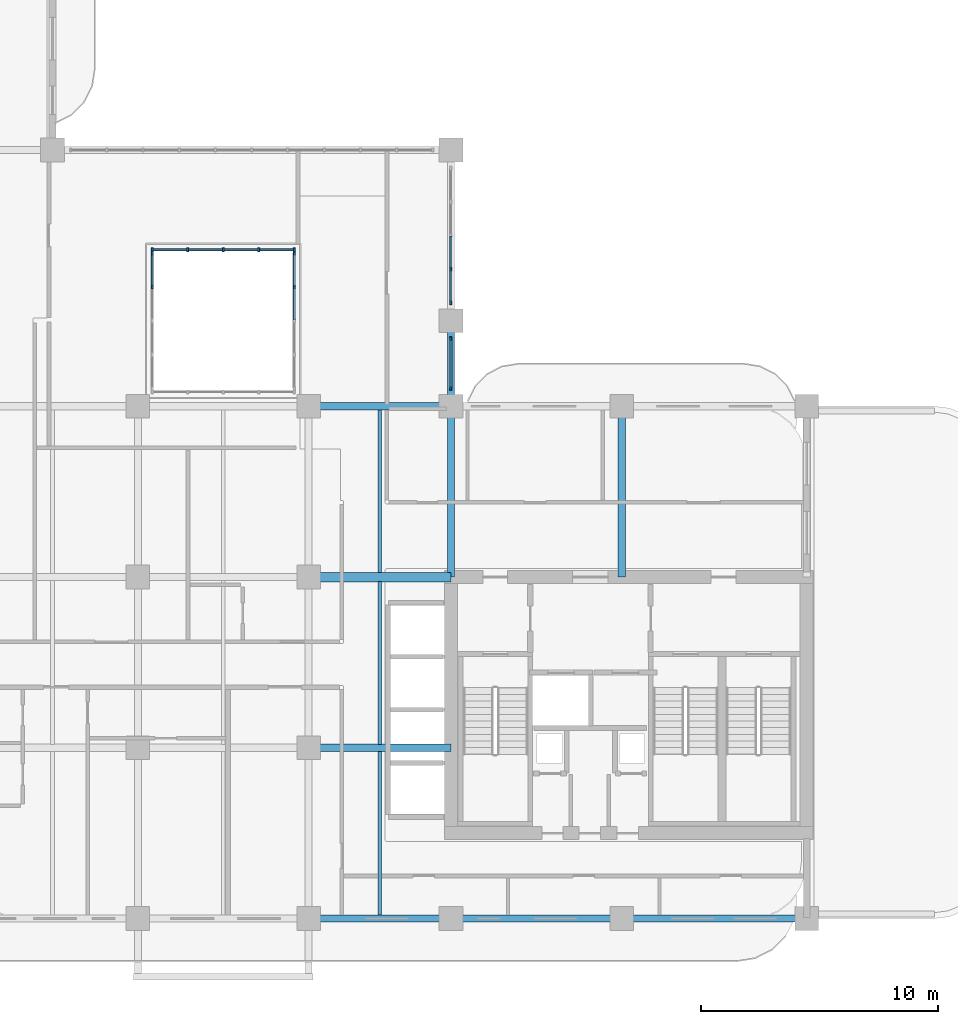
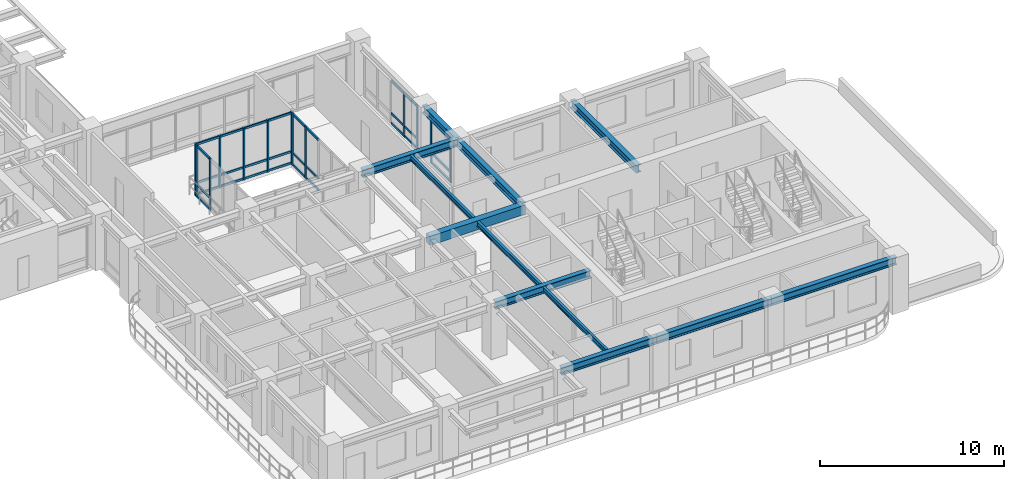
# One storey, part 3 of 20: 43 members, 12 beams, 5 elements without a shape of their own.
"""IFC4 building model written with IfcOpenShell, lengths in metres."""

from ifc_helpers import new_model, si_unit, derived_unit, direction, frame, origin, origin_2d, place, context, subcontext, project, spatial, rectangle, i_section, extrude, source, transform, mapped, material, layer, layer_set, material_profile, profile_set, type_object, type_shapes, element, aggregate, save


model = new_model("IFC4")

# Units and contexts
model_context = context("Model", 3, precision=1e-05, world=origin(), true_north=direction((0.0, 1.0)))
body_context = subcontext(model_context, "Body", "Model", "MODEL_VIEW")
ifc_project = project(units=[si_unit("LENGTHUNIT", "METRE"), si_unit("AREAUNIT", "SQUARE_METRE"), si_unit("VOLUMEUNIT", "CUBIC_METRE"), si_unit("PLANEANGLEUNIT", "RADIAN"), si_unit("MASSUNIT", "GRAM", prefix="KILO"), si_unit("THERMODYNAMICTEMPERATUREUNIT", "KELVIN"), si_unit("POWERUNIT", "WATT"), derived_unit("THERMALTRANSMITTANCEUNIT", [(si_unit("POWERUNIT", "WATT"), 1), (si_unit("AREAUNIT", "SQUARE_METRE"), -1), (si_unit("THERMODYNAMICTEMPERATUREUNIT", "KELVIN"), -1)])], contexts=[model_context])

# Site, building, storey
site_placement = place(None, origin())
site = spatial("IfcSite", under=ifc_project, at=site_placement, CompositionType="ELEMENT")
building_placement = place(site_placement, origin())
building = spatial("IfcBuilding", under=site, at=building_placement, Name="Zahravan Archway Hotel and Residences", CompositionType="ELEMENT")
storey_placement = place(building_placement, frame((0.0, 0.0, 111.800048828125)))
storey = spatial("IfcBuildingStorey", under=building, at=storey_placement, Name="L27", CompositionType="ELEMENT", Elevation=111.800048828125)

# Beams
ifc_material_1 = material(Name="Concrete C60/75", Category="concrete")
ifc_material_profile_1 = material_profile(ifc_material_1, rectangle(XDim=0.39990234375, YDim=0.60009765625, at=origin_2d()), Name="RC-LNT-400x600", Category="concrete")
ifc_profile_set_1 = profile_set([ifc_material_profile_1], Name="Concrete C60/75")
beam_type_1 = type_object("IfcBeamType", Name="LNT-RC-400x600", PredefinedType="LINTEL", material=ifc_profile_set_1)
shared_shape_1 = source(origin(), body_context, "Body", "SweptSolid", [
    extrude(rectangle(XDim=0.39990234375, YDim=0.60009765625, at=origin_2d()), origin(), (0.0, 0.0, 1.0), 6.0),
])
type_shapes(beam_type_1, [shared_shape_1])
beam_1_placement = place(storey_placement, frame((28.800048828125, 14.39990234375, 3.14990234375), z_axis=(1.0, 0.0, 0.0), x_axis=(0.0, 1.0, 0.0)))
element("IfcBeam", 1, at=beam_1_placement, inside=storey, type_object=beam_type_1, Name="L27 Core A Coupling Lintel Beam", PredefinedType="LINTEL", context=body_context, shape_type="MappedRepresentation", body=[
    mapped(shared_shape_1, transform((0.0, 0.0, 0.0), scale=1.0)),
])
ifc_material_2 = material(Name="Structural Steel S355JR", Category="steel")
ifc_material_profile_2 = material_profile(ifc_material_2, i_section(OverallWidth=0.300048828125, OverallDepth=0.5, WebThickness=0.014404296875, FlangeThickness=0.028076171875, FilletRadius=0.027099609375, at=origin_2d()), Name="HEB 500", Category="steel")
ifc_profile_set_2 = profile_set([ifc_material_profile_2], Name="Structural Steel S355JR")
beam_type_2 = type_object("IfcBeamType", Name="BM-PRI-HEB500", PredefinedType="BEAM", material=ifc_profile_set_2)
shared_shape_2 = source(origin(), body_context, "Body", "SweptSolid", [
    extrude(i_section(OverallWidth=0.300048828125, OverallDepth=0.5, WebThickness=0.014404296875, FlangeThickness=0.028076171875, FilletRadius=0.027099609375, at=origin_2d()), origin(), (0.0, 0.0, 1.0), 7.2001953125),
])
type_shapes(beam_type_2, [shared_shape_2])
for number, where, z_axis, x_axis, name in (
    (2, (34.800048828125, 14.39990234375, 3.199951171875), (0.0, 1.0, 0.0), (-1.0, 0.0, 0.0), "L27 Primary Girder NS-41"),
    (3, (42.0, 14.39990234375, 3.199951171875), (0.0, 1.0, 0.0), (-1.0, 0.0, 0.0), "L27 Primary Girder NS-44"),
):
    element("IfcBeam", number, at=place(storey_placement, frame(where, z_axis=z_axis, x_axis=x_axis)), inside=storey, type_object=beam_type_2, Name=name, PredefinedType="BEAM", context=body_context, shape_type="MappedRepresentation", body=[
        mapped(shared_shape_2, transform((0.0, 0.0, 0.0), scale=1.0)),
    ])
shared_shape_3 = source(origin(), body_context, "Body", "SweptSolid", [
    extrude(i_section(OverallWidth=0.300048828125, OverallDepth=0.5, WebThickness=0.014404296875, FlangeThickness=0.028076171875, FilletRadius=0.027099609375, at=origin_2d()), origin(), (0.0, 0.0, 1.0), 7.199951171875),
])
beam_2_placement = place(storey_placement, frame((34.800048828125, 0.0, 3.199951171875), z_axis=(1.0, 0.0, 0.0), x_axis=(0.0, 1.0, 0.0)))
element("IfcBeam", 4, at=beam_2_placement, inside=storey, type_object=beam_type_2, Name="L27 Primary Girder EW-04", PredefinedType="BEAM", context=body_context, shape_type="MappedRepresentation", body=[
    mapped(shared_shape_3, transform((0.0, 0.0, 0.0), scale=1.0)),
])
shared_shape_4 = source(origin(), body_context, "Body", "SweptSolid", [
    extrude(i_section(OverallWidth=0.300048828125, OverallDepth=0.5, WebThickness=0.014404296875, FlangeThickness=0.028076171875, FilletRadius=0.027099609375, at=origin_2d()), origin(), (0.0, 0.0, 1.0), 6.0),
])
for number, where, z_axis, x_axis, name in (
    (5, (28.800048828125, 0.0, 3.199951171875), (1.0, 0.0, 0.0), (0.0, 1.0, 0.0), "L27 Primary Girder EW-03"),
    (6, (28.800048828125, 7.199951171875, 3.199951171875), (1.0, 0.0, 0.0), (0.0, 1.0, 0.0), "L27 Primary Girder EW-08"),
    (7, (28.800048828125, 21.60009765625, 3.199951171875), (1.0, 0.0, 0.0), (0.0, 1.0, 0.0), "L27 Primary Girder EW-13"),
):
    element("IfcBeam", number, at=place(storey_placement, frame(where, z_axis=z_axis, x_axis=x_axis)), inside=storey, type_object=beam_type_2, Name=name, PredefinedType="BEAM", context=body_context, shape_type="MappedRepresentation", body=[
        mapped(shared_shape_4, transform((0.0, 0.0, 0.0), scale=1.0)),
    ])
shared_shape_5 = source(origin(), body_context, "Body", "SweptSolid", [
    extrude(i_section(OverallWidth=0.300048828125, OverallDepth=0.5, WebThickness=0.014404296875, FlangeThickness=0.028076171875, FilletRadius=0.027099609375, at=origin_2d()), origin(), (0.0, 0.0, 1.0), 7.800048828125),
])
beam_3_placement = place(storey_placement, frame((42.0, 0.0, 3.199951171875), z_axis=(1.0, 0.0, 0.0), x_axis=(0.0, 1.0, 0.0)))
element("IfcBeam", 8, at=beam_3_placement, inside=storey, type_object=beam_type_2, Name="L27 Primary Girder EW-05", PredefinedType="BEAM", context=body_context, shape_type="MappedRepresentation", body=[
    mapped(shared_shape_5, transform((0.0, 0.0, 0.0), scale=1.0)),
])
shared_shape_6 = source(origin(), body_context, "Body", "SweptSolid", [
    extrude(i_section(OverallWidth=0.300048828125, OverallDepth=0.5, WebThickness=0.014404296875, FlangeThickness=0.028076171875, FilletRadius=0.027099609375, at=origin_2d()), origin(), (0.0, 0.0, 1.0), 3.599853515625),
])
beam_4_placement = place(storey_placement, frame((34.800048828125, 21.60009765625, 3.199951171875), z_axis=(0.0, 1.0, 0.0), x_axis=(-1.0, 0.0, 0.0)))
element("IfcBeam", 9, at=beam_4_placement, inside=storey, type_object=beam_type_2, Name="L27 Primary Girder NS-42", PredefinedType="BEAM", context=body_context, shape_type="MappedRepresentation", body=[
    mapped(shared_shape_6, transform((0.0, 0.0, 0.0), scale=1.0)),
])
ifc_material_profile_3 = material_profile(ifc_material_2, i_section(OverallWidth=0.159912109375, OverallDepth=0.330078125, WebThickness=0.007568359375, FlangeThickness=0.011474609375, FilletRadius=0.01806640625, at=origin_2d()), Name="IPE 330", Category="steel")
ifc_profile_set_3 = profile_set([ifc_material_profile_3], Name="Structural Steel S355JR")
beam_type_3 = type_object("IfcBeamType", Name="BM-JST-IPE330", PredefinedType="JOIST", material=ifc_profile_set_3)
shared_shape_7 = source(origin(), body_context, "Body", "SweptSolid", [
    extrude(i_section(OverallWidth=0.159912109375, OverallDepth=0.330078125, WebThickness=0.007568359375, FlangeThickness=0.011474609375, FilletRadius=0.01806640625, at=origin_2d()), origin(), (0.0, 0.0, 1.0), 6.904052734375),
])
type_shapes(beam_type_3, [shared_shape_7])
beam_5_placement = place(storey_placement, frame((31.800048828125, 0.14794921875, 3.284912109375), z_axis=(0.0, 1.0, 0.0), x_axis=(-1.0, 0.0, 0.0)))
element("IfcBeam", 10, at=beam_5_placement, inside=storey, type_object=beam_type_3, Name="L27 Composite Floor Joist 03", PredefinedType="JOIST", context=body_context, shape_type="MappedRepresentation", body=[
    mapped(shared_shape_7, transform((0.0, 0.0, 0.0), scale=1.0)),
])
shared_shape_8 = source(origin(), body_context, "Body", "SweptSolid", [
    extrude(i_section(OverallWidth=0.159912109375, OverallDepth=0.330078125, WebThickness=0.007568359375, FlangeThickness=0.011474609375, FilletRadius=0.01806640625, at=origin_2d()), origin(), (0.0, 0.0, 1.0), 6.85400390625),
])
for number, where, z_axis, x_axis, name in (
    (11, (31.800048828125, 7.347900390625, 3.284912109375), (0.0, 1.0, 0.0), (-1.0, 0.0, 0.0), "L27 Composite Floor Joist 06"),
    (12, (31.800048828125, 14.597900390625, 3.284912109375), (0.0, 1.0, 0.0), (-1.0, 0.0, 0.0), "L27 Composite Floor Joist 07"),
):
    element("IfcBeam", number, at=place(storey_placement, frame(where, z_axis=z_axis, x_axis=x_axis)), inside=storey, type_object=beam_type_3, Name=name, PredefinedType="JOIST", context=body_context, shape_type="MappedRepresentation", body=[
        mapped(shared_shape_8, transform((0.0, 0.0, 0.0), scale=1.0)),
    ])

# Curtain wall, members
ifc_material_3 = material(Name="Bronze-Anodized Unitised Aluminium & Low-E Glass", Category="aluminium")
ifc_layer = layer(ifc_material_3, 0.179931640625, Name="Bronze-Anodized Unitised Aluminium & Low-E Glass", Category="aluminium")
ifc_layer_set = layer_set([ifc_layer], Name="Bronze-Anodized Unitised Aluminium & Low-E Glass")
curtain_wall_type = type_object("IfcCurtainWallType", Name="CW-ATR-GLAZ", PredefinedType="NOTDEFINED", material=ifc_layer_set)
curtain_wall_1_placement = place(storey_placement, origin())
curtain_wall_1 = element("IfcCurtainWall", 13, at=curtain_wall_1_placement, inside=storey, type_object=curtain_wall_type, Name="L27 Curtain Wall CW-L27-HNG-E-2", PredefinedType="NOTDEFINED")
ifc_material_4 = material(Name="Bronze-Anodized Extruded Aluminium", Category="aluminium")
ifc_material_profile_4 = material_profile(ifc_material_4, rectangle(XDim=0.080078125, YDim=0.139892578125, at=origin_2d()), Name="TRN 80x140", Category="aluminium")
ifc_profile_set_4 = profile_set([ifc_material_profile_4], Name="Bronze-Anodized Extruded Aluminium")
member_type_1 = type_object("IfcMemberType", Name="CWM-TRN-140", PredefinedType="USERDEFINED", material=ifc_profile_set_4)
shared_shape_9 = source(origin(), body_context, "Body", "SweptSolid", [
    extrude(rectangle(XDim=0.080078125, YDim=0.139892578125, at=origin_2d()), origin(), (0.0, 0.0, 1.0), 1.340087890625),
])
member_1_placement = place(storey_placement, frame((34.800048828125, 26.0, 0.070068359375), z_axis=(0.0, 1.0, 0.0), x_axis=(-1.0, 0.0, 0.0)))
member_1 = element("IfcMember", 14, at=member_1_placement, type_object=member_type_1, Name="CW-L27-HNG-E-2 Transom 0-1", ObjectType="TRANSOM", PredefinedType="USERDEFINED", context=body_context, shape_type="MappedRepresentation", body=[
    mapped(shared_shape_9, transform((0.0, 0.0, 0.0), scale=1.0)),
])
member_2_placement = place(storey_placement, frame((34.800048828125, 26.0, 0.704345703125), z_axis=(0.0, 1.0, 0.0), x_axis=(-1.0, 0.0, 0.0)))
member_2 = element("IfcMember", 15, at=member_2_placement, type_object=member_type_1, Name="CW-L27-HNG-E-2 Transom 0-2", ObjectType="TRANSOM", PredefinedType="USERDEFINED", context=body_context, shape_type="MappedRepresentation", body=[
    mapped(shared_shape_9, transform((0.0, 0.0, 0.0), scale=1.0)),
])
member_3_placement = place(storey_placement, frame((34.800048828125, 26.0, 2.864990234375), z_axis=(0.0, 1.0, 0.0), x_axis=(-1.0, 0.0, 0.0)))
member_3 = element("IfcMember", 16, at=member_3_placement, type_object=member_type_1, Name="CW-L27-HNG-E-2 Transom 0-3", ObjectType="TRANSOM", PredefinedType="USERDEFINED", context=body_context, shape_type="MappedRepresentation", body=[
    mapped(shared_shape_9, transform((0.0, 0.0, 0.0), scale=1.0)),
])
member_4_placement = place(storey_placement, frame((34.800048828125, 27.419921875, 0.070068359375), z_axis=(0.0, 1.0, 0.0), x_axis=(-1.0, 0.0, 0.0)))
member_4 = element("IfcMember", 17, at=member_4_placement, type_object=member_type_1, Name="CW-L27-HNG-E-2 Transom 1-1", ObjectType="TRANSOM", PredefinedType="USERDEFINED", context=body_context, shape_type="MappedRepresentation", body=[
    mapped(shared_shape_9, transform((0.0, 0.0, 0.0), scale=1.0)),
])
member_5_placement = place(storey_placement, frame((34.800048828125, 27.419921875, 0.704345703125), z_axis=(0.0, 1.0, 0.0), x_axis=(-1.0, 0.0, 0.0)))
member_5 = element("IfcMember", 18, at=member_5_placement, type_object=member_type_1, Name="CW-L27-HNG-E-2 Transom 1-2", ObjectType="TRANSOM", PredefinedType="USERDEFINED", context=body_context, shape_type="MappedRepresentation", body=[
    mapped(shared_shape_9, transform((0.0, 0.0, 0.0), scale=1.0)),
])
member_6_placement = place(storey_placement, frame((34.800048828125, 27.419921875, 2.864990234375), z_axis=(0.0, 1.0, 0.0), x_axis=(-1.0, 0.0, 0.0)))
member_6 = element("IfcMember", 19, at=member_6_placement, type_object=member_type_1, Name="CW-L27-HNG-E-2 Transom 1-3", ObjectType="TRANSOM", PredefinedType="USERDEFINED", context=body_context, shape_type="MappedRepresentation", body=[
    mapped(shared_shape_9, transform((0.0, 0.0, 0.0), scale=1.0)),
])

curtain_wall_2_placement = place(storey_placement, origin())
curtain_wall_2 = element("IfcCurtainWall", 20, at=curtain_wall_2_placement, inside=storey, type_object=curtain_wall_type, Name="L27 Curtain Wall CW-L27-HNG-E-1", PredefinedType="NOTDEFINED")
shared_shape_10 = source(origin(), body_context, "Body", "SweptSolid", [
    extrude(rectangle(XDim=0.080078125, YDim=0.139892578125, at=origin_2d()), origin(), (0.0, 0.0, 1.0), 2.0),
])
member_7_placement = place(storey_placement, frame((34.800048828125, 22.39990234375, 0.070068359375), z_axis=(0.0, 1.0, 0.0), x_axis=(-1.0, 0.0, 0.0)))
member_7 = element("IfcMember", 21, at=member_7_placement, type_object=member_type_1, Name="CW-L27-HNG-E-1 Transom 0-1", ObjectType="TRANSOM", PredefinedType="USERDEFINED", context=body_context, shape_type="MappedRepresentation", body=[
    mapped(shared_shape_10, transform((0.0, 0.0, 0.0), scale=1.0)),
])
member_8_placement = place(storey_placement, frame((34.800048828125, 22.39990234375, 0.704345703125), z_axis=(0.0, 1.0, 0.0), x_axis=(-1.0, 0.0, 0.0)))
member_8 = element("IfcMember", 22, at=member_8_placement, type_object=member_type_1, Name="CW-L27-HNG-E-1 Transom 0-2", ObjectType="TRANSOM", PredefinedType="USERDEFINED", context=body_context, shape_type="MappedRepresentation", body=[
    mapped(shared_shape_10, transform((0.0, 0.0, 0.0), scale=1.0)),
])
member_9_placement = place(storey_placement, frame((34.800048828125, 22.39990234375, 2.864990234375), z_axis=(0.0, 1.0, 0.0), x_axis=(-1.0, 0.0, 0.0)))
member_9 = element("IfcMember", 23, at=member_9_placement, type_object=member_type_1, Name="CW-L27-HNG-E-1 Transom 0-3", ObjectType="TRANSOM", PredefinedType="USERDEFINED", context=body_context, shape_type="MappedRepresentation", body=[
    mapped(shared_shape_10, transform((0.0, 0.0, 0.0), scale=1.0)),
])

curtain_wall_3_placement = place(storey_placement, origin())
curtain_wall_3 = element("IfcCurtainWall", 24, at=curtain_wall_3_placement, inside=storey, type_object=curtain_wall_type, Name="L27 Curtain Wall CW-ATR-L27-N-1", PredefinedType="NOTDEFINED")
ifc_material_profile_5 = material_profile(ifc_material_4, rectangle(XDim=0.080078125, YDim=0.159912109375, at=origin_2d()), Name="MUL 80x160", Category="aluminium")
ifc_profile_set_5 = profile_set([ifc_material_profile_5], Name="Bronze-Anodized Extruded Aluminium")
member_type_2 = type_object("IfcMemberType", Name="CWM-MUL-160", PredefinedType="MULLION", material=ifc_profile_set_5)
shared_shape_11 = source(origin(), body_context, "Body", "SweptSolid", [
    extrude(rectangle(XDim=0.080078125, YDim=0.159912109375, at=origin_2d()), origin(), (0.0, 0.0, 1.0), 3.449951171875),
])
member_10_placement = place(storey_placement, frame((22.199951171875, 28.199951171875, 0.0), z_axis=(0.0, 0.0, 1.0), x_axis=(1.0, 0.0, 0.0)))
member_10 = element("IfcMember", 25, at=member_10_placement, type_object=member_type_2, Name="CW-ATR-L27-N-1 Mullion 0", PredefinedType="MULLION", context=body_context, shape_type="MappedRepresentation", body=[
    mapped(shared_shape_11, transform((0.0, 0.0, 0.0), scale=1.0)),
])
member_11_placement = place(storey_placement, frame((23.699951171875, 28.199951171875, 0.0), z_axis=(0.0, 0.0, 1.0), x_axis=(1.0, 0.0, 0.0)))
member_11 = element("IfcMember", 26, at=member_11_placement, type_object=member_type_2, Name="CW-ATR-L27-N-1 Mullion 1", PredefinedType="MULLION", context=body_context, shape_type="MappedRepresentation", body=[
    mapped(shared_shape_11, transform((0.0, 0.0, 0.0), scale=1.0)),
])
member_12_placement = place(storey_placement, frame((25.199951171875, 28.199951171875, 0.0), z_axis=(0.0, 0.0, 1.0), x_axis=(1.0, 0.0, 0.0)))
member_12 = element("IfcMember", 27, at=member_12_placement, type_object=member_type_2, Name="CW-ATR-L27-N-1 Mullion 2", PredefinedType="MULLION", context=body_context, shape_type="MappedRepresentation", body=[
    mapped(shared_shape_11, transform((0.0, 0.0, 0.0), scale=1.0)),
])
member_13_placement = place(storey_placement, frame((26.699951171875, 28.199951171875, 0.0), z_axis=(0.0, 0.0, 1.0), x_axis=(1.0, 0.0, 0.0)))
member_13 = element("IfcMember", 28, at=member_13_placement, type_object=member_type_2, Name="CW-ATR-L27-N-1 Mullion 3", PredefinedType="MULLION", context=body_context, shape_type="MappedRepresentation", body=[
    mapped(shared_shape_11, transform((0.0, 0.0, 0.0), scale=1.0)),
])
member_14_placement = place(storey_placement, frame((28.199951171875, 28.199951171875, 0.0), z_axis=(0.0, 0.0, 1.0), x_axis=(1.0, 0.0, 0.0)))
member_14 = element("IfcMember", 29, at=member_14_placement, type_object=member_type_2, Name="CW-ATR-L27-N-1 Mullion 4", PredefinedType="MULLION", context=body_context, shape_type="MappedRepresentation", body=[
    mapped(shared_shape_11, transform((0.0, 0.0, 0.0), scale=1.0)),
])

curtain_wall_4_placement = place(storey_placement, origin())
curtain_wall_4 = element("IfcCurtainWall", 30, at=curtain_wall_4_placement, inside=storey, type_object=curtain_wall_type, Name="L27 Curtain Wall CW-ATR-L27-W-1", PredefinedType="NOTDEFINED")
member_15_placement = place(storey_placement, frame((22.199951171875, 26.625, 0.0), z_axis=(0.0, 0.0, 1.0), x_axis=(1.0, 0.0, 0.0)))
member_15 = element("IfcMember", 31, at=member_15_placement, type_object=member_type_2, Name="CW-ATR-L27-W-1 Mullion 3", PredefinedType="MULLION", context=body_context, shape_type="MappedRepresentation", body=[
    mapped(shared_shape_11, transform((0.0, 0.0, 0.0), scale=1.0)),
])
member_16_placement = place(storey_placement, frame((22.199951171875, 28.050048828125, 0.0), z_axis=(0.0, 0.0, 1.0), x_axis=(1.0, 0.0, 0.0)))
member_16 = element("IfcMember", 32, at=member_16_placement, type_object=member_type_2, Name="CW-ATR-L27-W-1 Mullion 4", PredefinedType="MULLION", context=body_context, shape_type="MappedRepresentation", body=[
    mapped(shared_shape_11, transform((0.0, 0.0, 0.0), scale=1.0)),
])

curtain_wall_5_placement = place(storey_placement, origin())
curtain_wall_5 = element("IfcCurtainWall", 33, at=curtain_wall_5_placement, inside=storey, type_object=curtain_wall_type, Name="L27 Curtain Wall CW-ATR-L27-E-1", PredefinedType="NOTDEFINED")
member_17_placement = place(storey_placement, frame((28.199951171875, 26.625, 0.0), z_axis=(0.0, 0.0, 1.0), x_axis=(1.0, 0.0, 0.0)))
member_17 = element("IfcMember", 34, at=member_17_placement, type_object=member_type_2, Name="CW-ATR-L27-E-1 Mullion 3", PredefinedType="MULLION", context=body_context, shape_type="MappedRepresentation", body=[
    mapped(shared_shape_11, transform((0.0, 0.0, 0.0), scale=1.0)),
])
member_18_placement = place(storey_placement, frame((28.199951171875, 28.050048828125, 0.0), z_axis=(0.0, 0.0, 1.0), x_axis=(1.0, 0.0, 0.0)))
member_18 = element("IfcMember", 35, at=member_18_placement, type_object=member_type_2, Name="CW-ATR-L27-E-1 Mullion 4", PredefinedType="MULLION", context=body_context, shape_type="MappedRepresentation", body=[
    mapped(shared_shape_11, transform((0.0, 0.0, 0.0), scale=1.0)),
])

# Member
shared_shape_12 = source(origin(), body_context, "Body", "SweptSolid", [
    extrude(rectangle(XDim=0.080078125, YDim=0.139892578125, at=origin_2d()), origin(), (0.0, 0.0, 1.0), 1.419921875),
])
member_19_placement = place(storey_placement, frame((22.239990234375, 28.199951171875, 0.070068359375), z_axis=(1.0, 0.0, 0.0), x_axis=(0.0, 1.0, 0.0)))
member_19 = element("IfcMember", 36, at=member_19_placement, type_object=member_type_1, Name="CW-ATR-L27-N-1 Transom 0-1", ObjectType="TRANSOM", PredefinedType="USERDEFINED", context=body_context, shape_type="MappedRepresentation", body=[
    mapped(shared_shape_12, transform((0.0, 0.0, 0.0), scale=1.0)),
])

member_20_placement = place(storey_placement, frame((22.239990234375, 28.199951171875, 0.827880859375), z_axis=(1.0, 0.0, 0.0), x_axis=(0.0, 1.0, 0.0)))
member_20 = element("IfcMember", 37, at=member_20_placement, type_object=member_type_1, Name="CW-ATR-L27-N-1 Transom 0-2", ObjectType="TRANSOM", PredefinedType="USERDEFINED", context=body_context, shape_type="MappedRepresentation", body=[
    mapped(shared_shape_12, transform((0.0, 0.0, 0.0), scale=1.0)),
])

member_21_placement = place(storey_placement, frame((22.239990234375, 28.199951171875, 3.3798828125), z_axis=(1.0, 0.0, 0.0), x_axis=(0.0, 1.0, 0.0)))
member_21 = element("IfcMember", 38, at=member_21_placement, type_object=member_type_1, Name="CW-ATR-L27-N-1 Transom 0-3", ObjectType="TRANSOM", PredefinedType="USERDEFINED", context=body_context, shape_type="MappedRepresentation", body=[
    mapped(shared_shape_12, transform((0.0, 0.0, 0.0), scale=1.0)),
])

member_22_placement = place(storey_placement, frame((23.739990234375, 28.199951171875, 0.070068359375), z_axis=(1.0, 0.0, 0.0), x_axis=(0.0, 1.0, 0.0)))
member_22 = element("IfcMember", 39, at=member_22_placement, type_object=member_type_1, Name="CW-ATR-L27-N-1 Transom 1-1", ObjectType="TRANSOM", PredefinedType="USERDEFINED", context=body_context, shape_type="MappedRepresentation", body=[
    mapped(shared_shape_12, transform((0.0, 0.0, 0.0), scale=1.0)),
])

member_23_placement = place(storey_placement, frame((23.739990234375, 28.199951171875, 0.827880859375), z_axis=(1.0, 0.0, 0.0), x_axis=(0.0, 1.0, 0.0)))
member_23 = element("IfcMember", 40, at=member_23_placement, type_object=member_type_1, Name="CW-ATR-L27-N-1 Transom 1-2", ObjectType="TRANSOM", PredefinedType="USERDEFINED", context=body_context, shape_type="MappedRepresentation", body=[
    mapped(shared_shape_12, transform((0.0, 0.0, 0.0), scale=1.0)),
])

member_24_placement = place(storey_placement, frame((23.739990234375, 28.199951171875, 3.3798828125), z_axis=(1.0, 0.0, 0.0), x_axis=(0.0, 1.0, 0.0)))
member_24 = element("IfcMember", 41, at=member_24_placement, type_object=member_type_1, Name="CW-ATR-L27-N-1 Transom 1-3", ObjectType="TRANSOM", PredefinedType="USERDEFINED", context=body_context, shape_type="MappedRepresentation", body=[
    mapped(shared_shape_12, transform((0.0, 0.0, 0.0), scale=1.0)),
])

member_25_placement = place(storey_placement, frame((25.239990234375, 28.199951171875, 0.070068359375), z_axis=(1.0, 0.0, 0.0), x_axis=(0.0, 1.0, 0.0)))
member_25 = element("IfcMember", 42, at=member_25_placement, type_object=member_type_1, Name="CW-ATR-L27-N-1 Transom 2-1", ObjectType="TRANSOM", PredefinedType="USERDEFINED", context=body_context, shape_type="MappedRepresentation", body=[
    mapped(shared_shape_12, transform((0.0, 0.0, 0.0), scale=1.0)),
])

member_26_placement = place(storey_placement, frame((25.239990234375, 28.199951171875, 0.827880859375), z_axis=(1.0, 0.0, 0.0), x_axis=(0.0, 1.0, 0.0)))
member_26 = element("IfcMember", 43, at=member_26_placement, type_object=member_type_1, Name="CW-ATR-L27-N-1 Transom 2-2", ObjectType="TRANSOM", PredefinedType="USERDEFINED", context=body_context, shape_type="MappedRepresentation", body=[
    mapped(shared_shape_12, transform((0.0, 0.0, 0.0), scale=1.0)),
])

member_27_placement = place(storey_placement, frame((25.239990234375, 28.199951171875, 3.3798828125), z_axis=(1.0, 0.0, 0.0), x_axis=(0.0, 1.0, 0.0)))
member_27 = element("IfcMember", 44, at=member_27_placement, type_object=member_type_1, Name="CW-ATR-L27-N-1 Transom 2-3", ObjectType="TRANSOM", PredefinedType="USERDEFINED", context=body_context, shape_type="MappedRepresentation", body=[
    mapped(shared_shape_12, transform((0.0, 0.0, 0.0), scale=1.0)),
])

member_28_placement = place(storey_placement, frame((26.739990234375, 28.199951171875, 0.070068359375), z_axis=(1.0, 0.0, 0.0), x_axis=(0.0, 1.0, 0.0)))
member_28 = element("IfcMember", 45, at=member_28_placement, type_object=member_type_1, Name="CW-ATR-L27-N-1 Transom 3-1", ObjectType="TRANSOM", PredefinedType="USERDEFINED", context=body_context, shape_type="MappedRepresentation", body=[
    mapped(shared_shape_12, transform((0.0, 0.0, 0.0), scale=1.0)),
])

member_29_placement = place(storey_placement, frame((26.739990234375, 28.199951171875, 0.827880859375), z_axis=(1.0, 0.0, 0.0), x_axis=(0.0, 1.0, 0.0)))
member_29 = element("IfcMember", 46, at=member_29_placement, type_object=member_type_1, Name="CW-ATR-L27-N-1 Transom 3-2", ObjectType="TRANSOM", PredefinedType="USERDEFINED", context=body_context, shape_type="MappedRepresentation", body=[
    mapped(shared_shape_12, transform((0.0, 0.0, 0.0), scale=1.0)),
])

member_30_placement = place(storey_placement, frame((26.739990234375, 28.199951171875, 3.3798828125), z_axis=(1.0, 0.0, 0.0), x_axis=(0.0, 1.0, 0.0)))
member_30 = element("IfcMember", 47, at=member_30_placement, type_object=member_type_1, Name="CW-ATR-L27-N-1 Transom 3-3", ObjectType="TRANSOM", PredefinedType="USERDEFINED", context=body_context, shape_type="MappedRepresentation", body=[
    mapped(shared_shape_12, transform((0.0, 0.0, 0.0), scale=1.0)),
])

aggregate(curtain_wall_3, [member_10, member_11, member_12, member_13, member_14, member_19, member_20, member_21, member_22, member_23, member_24, member_25, member_26, member_27, member_28, member_29, member_30])

shared_shape_13 = source(origin(), body_context, "Body", "SweptSolid", [
    extrude(rectangle(XDim=0.080078125, YDim=0.139892578125, at=origin_2d()), origin(), (0.0, 0.0, 1.0), 1.344970703125),
])
member_31_placement = place(storey_placement, frame((22.199951171875, 26.6650390625, 0.070068359375), z_axis=(0.0, 1.0, 0.0), x_axis=(-1.0, 0.0, 0.0)))
member_31 = element("IfcMember", 48, at=member_31_placement, type_object=member_type_1, Name="CW-ATR-L27-W-1 Transom 3-1", ObjectType="TRANSOM", PredefinedType="USERDEFINED", context=body_context, shape_type="MappedRepresentation", body=[
    mapped(shared_shape_13, transform((0.0, 0.0, 0.0), scale=1.0)),
])

member_32_placement = place(storey_placement, frame((22.199951171875, 26.6650390625, 0.827880859375), z_axis=(0.0, 1.0, 0.0), x_axis=(-1.0, 0.0, 0.0)))
member_32 = element("IfcMember", 49, at=member_32_placement, type_object=member_type_1, Name="CW-ATR-L27-W-1 Transom 3-2", ObjectType="TRANSOM", PredefinedType="USERDEFINED", context=body_context, shape_type="MappedRepresentation", body=[
    mapped(shared_shape_13, transform((0.0, 0.0, 0.0), scale=1.0)),
])

member_33_placement = place(storey_placement, frame((22.199951171875, 26.6650390625, 3.3798828125), z_axis=(0.0, 1.0, 0.0), x_axis=(-1.0, 0.0, 0.0)))
member_33 = element("IfcMember", 50, at=member_33_placement, type_object=member_type_1, Name="CW-ATR-L27-W-1 Transom 3-3", ObjectType="TRANSOM", PredefinedType="USERDEFINED", context=body_context, shape_type="MappedRepresentation", body=[
    mapped(shared_shape_13, transform((0.0, 0.0, 0.0), scale=1.0)),
])

aggregate(curtain_wall_4, [member_15, member_16, member_31, member_32, member_33])

member_34_placement = place(storey_placement, frame((28.199951171875, 25.239990234375, 0.070068359375), z_axis=(0.0, 1.0, 0.0), x_axis=(-1.0, 0.0, 0.0)))
member_34 = element("IfcMember", 51, at=member_34_placement, type_object=member_type_1, Name="CW-ATR-L27-E-1 Transom 2-1", ObjectType="TRANSOM", PredefinedType="USERDEFINED", context=body_context, shape_type="MappedRepresentation", body=[
    mapped(shared_shape_13, transform((0.0, 0.0, 0.0), scale=1.0)),
])

member_35_placement = place(storey_placement, frame((28.199951171875, 25.239990234375, 0.827880859375), z_axis=(0.0, 1.0, 0.0), x_axis=(-1.0, 0.0, 0.0)))
member_35 = element("IfcMember", 52, at=member_35_placement, type_object=member_type_1, Name="CW-ATR-L27-E-1 Transom 2-2", ObjectType="TRANSOM", PredefinedType="USERDEFINED", context=body_context, shape_type="MappedRepresentation", body=[
    mapped(shared_shape_13, transform((0.0, 0.0, 0.0), scale=1.0)),
])

member_36_placement = place(storey_placement, frame((28.199951171875, 25.239990234375, 3.3798828125), z_axis=(0.0, 1.0, 0.0), x_axis=(-1.0, 0.0, 0.0)))
member_36 = element("IfcMember", 53, at=member_36_placement, type_object=member_type_1, Name="CW-ATR-L27-E-1 Transom 2-3", ObjectType="TRANSOM", PredefinedType="USERDEFINED", context=body_context, shape_type="MappedRepresentation", body=[
    mapped(shared_shape_13, transform((0.0, 0.0, 0.0), scale=1.0)),
])

member_37_placement = place(storey_placement, frame((28.199951171875, 26.6650390625, 0.070068359375), z_axis=(0.0, 1.0, 0.0), x_axis=(-1.0, 0.0, 0.0)))
member_37 = element("IfcMember", 54, at=member_37_placement, type_object=member_type_1, Name="CW-ATR-L27-E-1 Transom 3-1", ObjectType="TRANSOM", PredefinedType="USERDEFINED", context=body_context, shape_type="MappedRepresentation", body=[
    mapped(shared_shape_13, transform((0.0, 0.0, 0.0), scale=1.0)),
])

member_38_placement = place(storey_placement, frame((28.199951171875, 26.6650390625, 0.827880859375), z_axis=(0.0, 1.0, 0.0), x_axis=(-1.0, 0.0, 0.0)))
member_38 = element("IfcMember", 55, at=member_38_placement, type_object=member_type_1, Name="CW-ATR-L27-E-1 Transom 3-2", ObjectType="TRANSOM", PredefinedType="USERDEFINED", context=body_context, shape_type="MappedRepresentation", body=[
    mapped(shared_shape_13, transform((0.0, 0.0, 0.0), scale=1.0)),
])

member_39_placement = place(storey_placement, frame((28.199951171875, 26.6650390625, 3.3798828125), z_axis=(0.0, 1.0, 0.0), x_axis=(-1.0, 0.0, 0.0)))
member_39 = element("IfcMember", 56, at=member_39_placement, type_object=member_type_1, Name="CW-ATR-L27-E-1 Transom 3-3", ObjectType="TRANSOM", PredefinedType="USERDEFINED", context=body_context, shape_type="MappedRepresentation", body=[
    mapped(shared_shape_13, transform((0.0, 0.0, 0.0), scale=1.0)),
])

aggregate(curtain_wall_5, [member_17, member_18, member_34, member_35, member_36, member_37, member_38, member_39])

shared_shape_14 = source(origin(), body_context, "Body", "SweptSolid", [
    extrude(rectangle(XDim=0.080078125, YDim=0.159912109375, at=origin_2d()), origin(), (0.0, 0.0, 1.0), 2.93505859375),
])
member_40_placement = place(storey_placement, frame((34.800048828125, 22.360107421875, 0.0), z_axis=(0.0, 0.0, 1.0), x_axis=(1.0, 0.0, 0.0)))
member_40 = element("IfcMember", 57, at=member_40_placement, type_object=member_type_2, Name="CW-L27-HNG-E-1 Mullion 0", PredefinedType="MULLION", context=body_context, shape_type="MappedRepresentation", body=[
    mapped(shared_shape_14, transform((0.0, 0.0, 0.0), scale=1.0)),
])

member_41_placement = place(storey_placement, frame((34.800048828125, 24.43994140625, 0.0), z_axis=(0.0, 0.0, 1.0), x_axis=(1.0, 0.0, 0.0)))
member_41 = element("IfcMember", 58, at=member_41_placement, type_object=member_type_2, Name="CW-L27-HNG-E-1 Mullion 1", PredefinedType="MULLION", context=body_context, shape_type="MappedRepresentation", body=[
    mapped(shared_shape_14, transform((0.0, 0.0, 0.0), scale=1.0)),
])

aggregate(curtain_wall_2, [member_40, member_41, member_7, member_8, member_9])

member_42_placement = place(storey_placement, frame((34.800048828125, 25.9599609375, 0.0), z_axis=(0.0, 0.0, 1.0), x_axis=(1.0, 0.0, 0.0)))
member_42 = element("IfcMember", 59, at=member_42_placement, type_object=member_type_2, Name="CW-L27-HNG-E-2 Mullion 0", PredefinedType="MULLION", context=body_context, shape_type="MappedRepresentation", body=[
    mapped(shared_shape_14, transform((0.0, 0.0, 0.0), scale=1.0)),
])

member_43_placement = place(storey_placement, frame((34.800048828125, 27.3798828125, 0.0), z_axis=(0.0, 0.0, 1.0), x_axis=(1.0, 0.0, 0.0)))
member_43 = element("IfcMember", 60, at=member_43_placement, type_object=member_type_2, Name="CW-L27-HNG-E-2 Mullion 1", PredefinedType="MULLION", context=body_context, shape_type="MappedRepresentation", body=[
    mapped(shared_shape_14, transform((0.0, 0.0, 0.0), scale=1.0)),
])

aggregate(curtain_wall_1, [member_42, member_43, member_1, member_2, member_3, member_4, member_5, member_6])

save(model, "model.ifc")
